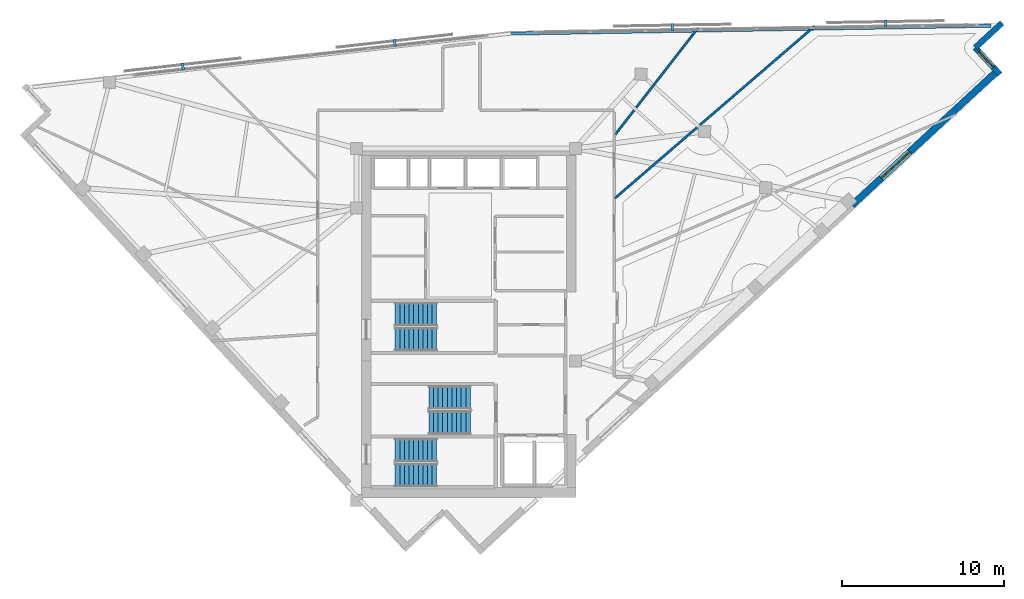
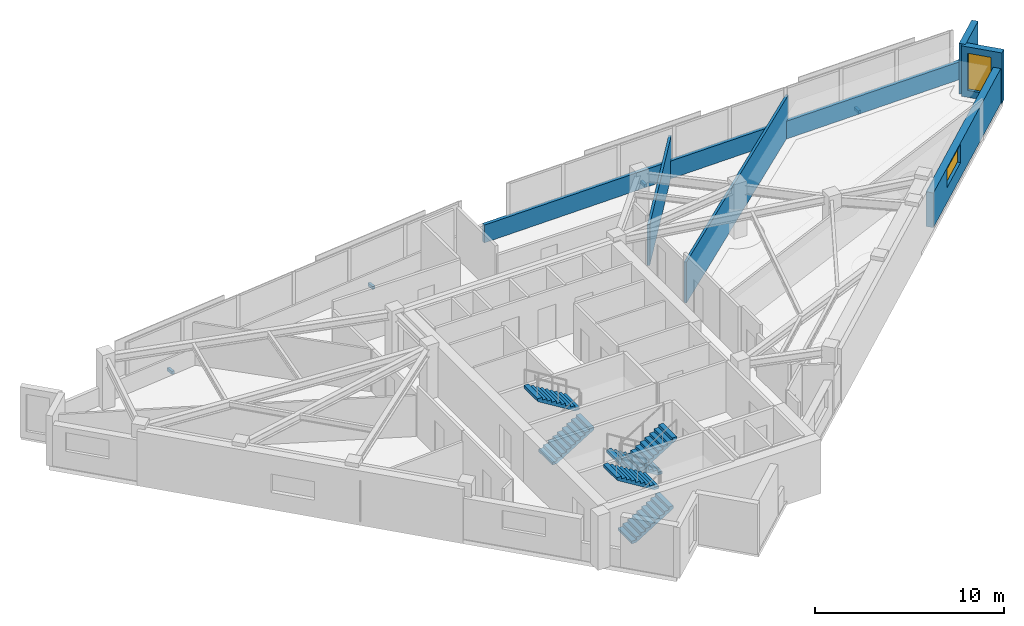
# One storey, part 11 of 13: 6 stair flights, 6 walls, 4 discrete accessories, 2 windows, 2 openings, 3 elements without a shape of their own.
"""IFC4 building model written with IfcOpenShell, lengths in metres."""

from ifc_helpers import new_model, si_unit, direction, frame, frame_2d, origin, origin_2d, place, context, subcontext, project, spatial, polyline, rectangle, outline, extrude, material, layer, layer_set, type_object, element, fill, aggregate, save


model = new_model("IFC4")

# Units and contexts
model_context = context("Model", 3, precision=1e-05, world=origin(), true_north=direction((0.0, 1.0)))
body_context = subcontext(model_context, "Body", "Model", "MODEL_VIEW")
ifc_project = project(units=[si_unit("LENGTHUNIT", "METRE"), si_unit("AREAUNIT", "SQUARE_METRE"), si_unit("VOLUMEUNIT", "CUBIC_METRE"), si_unit("PLANEANGLEUNIT", "RADIAN"), si_unit("MASSUNIT", "GRAM", prefix="KILO")], contexts=[model_context])

# Site, building, storey
site_placement = place(None, origin())
site = spatial("IfcSite", under=ifc_project, at=site_placement, CompositionType="ELEMENT")
building_placement = place(site_placement, origin())
building = spatial("IfcBuilding", under=site, at=building_placement, Name="Narakoshi Arena Tower", CompositionType="ELEMENT")
storey_placement = place(building_placement, frame((0.0, 0.0, 264.260009765625)))
storey = spatial("IfcBuildingStorey", under=building, at=storey_placement, Name="L72", CompositionType="ELEMENT", Elevation=264.260009765625)

# Wall
ifc_material_1 = material(Name="Precast concrete C45/55", Category="concrete")
ifc_layer_1 = layer(ifc_material_1, 0.25)
ifc_layer_set_1 = layer_set([ifc_layer_1], Name="Precast concrete C45/55")
wall_type_1 = type_object("IfcWallType", Name="WL-PARA-250", PredefinedType="PARAPET", material=ifc_layer_set_1)
wall_1_placement = place(storey_placement, frame((111.2705078125, 64.091796875, 0.0), z_axis=(0.0, 0.0, 1.0), x_axis=(-0.999864741935, -0.016446818413, 0.0)))
element("IfcWall", 1, at=wall_1_placement, inside=storey, type_object=wall_type_1, Name="L72 Hypotenuse Sill Upstand Parapet 1-01", PredefinedType="PARAPET", context=body_context, shape_type="SweptSolid", body=[
    extrude(rectangle(XDim=29.73291015625, YDim=0.199951171875, at=frame_2d((14.866455078125, 0.0))), origin(), (0.0, 0.0, 1.0), 1.14990234375),
])

# Wall, opening, window
ifc_layer_2 = layer(ifc_material_1, 0.419921875)
ifc_layer_set_2 = layer_set([ifc_layer_2], Name="Precast concrete C45/55")
wall_type_2 = type_object("IfcWallType", Name="WL-POD-420", PredefinedType="SOLIDWALL", material=ifc_layer_set_2)
wall_2_placement = place(storey_placement, frame((102.677490234375, 52.9892578125, 0.0), z_axis=(0.0, 0.0, 1.0), x_axis=(0.734331107219, 0.678791444386, 0.0)))
wall_2 = element("IfcWall", 2, at=wall_2_placement, inside=storey, type_object=wall_type_2, Name="L72 Architectural Concrete Facade Wall LEGA-4", PredefinedType="SOLIDWALL", context=body_context, shape_type="SweptSolid", body=[
    extrude(rectangle(XDim=12.21142578125, YDim=0.419921875, at=frame_2d((6.105712890625, 0.0))), origin(), (0.0, 0.0, 1.0), 2.244873046875),
])
opening_1_placement = place(wall_2_placement, frame((2.453857421875, 0.0, 0.965087890625)))
opening_1 = element("IfcOpeningElement", 3, at=opening_1_placement, cuts=wall_2, Name="Opening WN-04", PredefinedType="OPENING", context=body_context, shape_type="SweptSolid", body=[
    extrude(rectangle(XDim=2.39990234375, YDim=1.199951171875, at=frame_2d((1.199951171875, 0.60009765625))), frame((0.0, 0.219970703125, 0.0), z_axis=(0.0, -1.0, 0.0), x_axis=(1.0, 0.0, 0.0)), (0.0, 0.0, 1.0), 0.43994140625),
])
ifc_material_2 = material(Name="Bronze-tinted low-E laminated glass", Category="glass")
window_type_1 = type_object("IfcWindowType", Name="WIN-SLT-24x12", PartitioningType="SINGLE_PANEL", PredefinedType="WINDOW", material=ifc_material_2)
window_1_placement = place(opening_1_placement, origin())
window_1 = element("IfcWindow", 4, at=window_1_placement, inside=storey, type_object=window_type_1, Name="L72 LEGA4 Horizontal Slot Window 1", OverallHeight=1.199951171875, OverallWidth=2.39990234375, PartitioningType="SINGLE_PANEL", PredefinedType="WINDOW", context=body_context, shape_type="SweptSolid", body=[
    extrude(rectangle(XDim=2.39990234375, YDim=1.199951171875, at=frame_2d((1.199951171875, 0.60009765625))), frame((0.0, 0.030029296875, 0.0), z_axis=(0.0, -1.0, 0.0), x_axis=(1.0, 0.0, 0.0)), (0.0, 0.0, 1.0), 0.06005859375),
])
fill(opening_1, window_1)

wall_3_placement = place(storey_placement, frame((111.83154296875, 61.076416015625, 0.0), z_axis=(0.0, 0.0, 1.0), x_axis=(-0.678792531533, 0.734330102294, 0.0)))
wall_3 = element("IfcWall", 5, at=wall_3_placement, inside=storey, type_object=wall_type_2, Name="L72 Re-Entrant Corner Notch Wall NTE-1", PredefinedType="SOLIDWALL", context=body_context, shape_type="SweptSolid", body=[
    extrude(rectangle(XDim=2.255126953125, YDim=0.360107421875, at=frame_2d((1.12744140625, 0.0))), origin(), (0.0, 0.0, 1.0), 3.260009765625),
])
opening_2_placement = place(wall_3_placement, frame((0.614990234375, 0.0, 0.449951171875)))
opening_2 = element("IfcOpeningElement", 6, at=opening_2_placement, cuts=wall_3, Name="Opening WN-06", PredefinedType="OPENING", context=body_context, shape_type="SweptSolid", body=[
    extrude(rectangle(XDim=1.300048828125, YDim=2.39990234375, at=frame_2d((0.64990234375, 1.199951171875))), frame((0.0, 0.18994140625, 0.0), z_axis=(0.0, -1.0, 0.0), x_axis=(1.0, 0.0, 0.0)), (0.0, 0.0, 1.0), 0.380126953125),
])
window_type_2 = type_object("IfcWindowType", Name="WIN-NTC-16x24", PartitioningType="SINGLE_PANEL", PredefinedType="WINDOW", material=ifc_material_2)
window_2_placement = place(opening_2_placement, origin())
window_2 = element("IfcWindow", 7, at=window_2_placement, inside=storey, type_object=window_type_2, Name="L72 Corner Notch Window NTE", OverallHeight=2.39990234375, OverallWidth=1.300048828125, PartitioningType="SINGLE_PANEL", PredefinedType="WINDOW", context=body_context, shape_type="SweptSolid", body=[
    extrude(rectangle(XDim=1.300048828125, YDim=2.39990234375, at=frame_2d((0.64990234375, 1.199951171875))), frame((0.0, 0.030029296875, 0.0), z_axis=(0.0, -1.0, 0.0), x_axis=(1.0, 0.0, 0.0)), (0.0, 0.0, 1.0), 0.06005859375),
])
fill(opening_2, window_2)

# Walls
wall_4_placement = place(storey_placement, frame((110.30078125, 62.732421875, 0.0), z_axis=(0.0, 0.0, 1.0), x_axis=(0.734330102294, 0.678792531533, 0.0)))
element("IfcWall", 8, at=wall_4_placement, inside=storey, type_object=wall_type_2, Name="L72 Re-Entrant Corner Notch Wall NTE-2", PredefinedType="SOLIDWALL", context=body_context, shape_type="SweptSolid", body=[
    extrude(rectangle(XDim=2.255126953125, YDim=0.360107421875, at=frame_2d((1.12744140625, 0.0))), origin(), (0.0, 0.0, 1.0), 3.260009765625),
])
ifc_material_3 = material(Name="Moisture-resistant cement-board partition")
ifc_layer_3 = layer(ifc_material_3, 0.14501953125)
ifc_layer_set_3 = layer_set([ifc_layer_3], Name="Moisture-resistant cement-board partition")
wall_type_3 = type_object("IfcWallType", Name="WL-WET-145", PredefinedType="PARTITIONING", material=ifc_layer_set_3)
wall_5_placement = place(storey_placement, frame((87.98828125, 53.406005859375, 0.0), z_axis=(0.0, 0.0, 1.0), x_axis=(0.757572999375, 0.652750450493, 0.0)))
element("IfcWall", 9, at=wall_5_placement, inside=storey, type_object=wall_type_3, Name="L72 Inter-Room Partition 04-05", PredefinedType="PARTITIONING", context=body_context, shape_type="SweptSolid", body=[
    extrude(rectangle(XDim=16.3408203125, YDim=0.14501953125, at=frame_2d((8.17041015625, 0.0))), origin(), (0.0, 0.0, 1.0), 2.64501953125),
])
wall_6_placement = place(storey_placement, frame((88.01513671875, 57.354736328125, 0.0), z_axis=(0.0, 0.0, 1.0), x_axis=(0.613784898437, 0.789473304457, 0.0)))
element("IfcWall", 10, at=wall_6_placement, inside=storey, type_object=wall_type_3, Name="L72 Inter-Room Partition 05-06", PredefinedType="PARTITIONING", context=body_context, shape_type="SweptSolid", body=[
    extrude(rectangle(XDim=8.358642578125, YDim=0.14501953125, at=frame_2d((4.17919921875, 0.0))), origin(), (0.0, 0.0, 1.0), 2.64501953125),
])

# Stair, stair flights
ifc_material_4 = material(Name="Concrete C45/55", Category="concrete")
stair_type = type_object("IfcStairType", Name="STR-CORE-352", PredefinedType="TWO_STRAIGHT_RUN_STAIR", material=ifc_material_4)
stair_1_placement = place(storey_placement, origin())
stair_1 = element("IfcStair", 11, at=stair_1_placement, inside=storey, type_object=stair_type, Name="L72 Core Escape Stair ST1", PredefinedType="TWO_STRAIGHT_RUN_STAIR")
stair_flight_type = type_object("IfcStairFlightType", Name="FLT-145-160", PredefinedType="STRAIGHT", material=ifc_material_1)
stair_flight_1_placement = place(storey_placement, frame((74.39990234375, 36.27490234375, 0.0), z_axis=(0.0, 0.0, 1.0), x_axis=(1.0, 0.0, 0.0)))
stair_flight_1 = element("IfcStairFlight", 12, at=stair_flight_1_placement, type_object=stair_flight_type, Name="ST1 flight 1", NumberOfRisers=10, NumberOfTreads=9, PredefinedType="STRAIGHT", RiserHeight=0.176, TreadLength=0.285, context=body_context, shape_type="SweptSolid", body=[
    extrude(outline(polyline([(0.0, 0.0), (0.0, 0.176025390625), (0.284912109375, 0.176025390625), (0.284912109375, 0.35205078125), (0.570068359375, 0.35205078125), (0.570068359375, 0.528076171875), (0.85498046875, 0.528076171875), (0.85498046875, 0.7041015625), (1.139892578125, 0.7041015625), (1.139892578125, 0.8798828125), (1.425048828125, 0.8798828125), (1.425048828125, 1.055908203125), (1.7099609375, 1.055908203125), (1.7099609375, 1.23193359375), (1.9951171875, 1.23193359375), (1.9951171875, 1.407958984375), (2.280029296875, 1.407958984375), (2.280029296875, 1.583984375), (2.56494140625, 1.583984375), (2.56494140625, 1.760009765625), (2.56494140625, 1.40771484375), (0.285400390625, 0.0), (0.0, 0.0)])), frame((0.0, 0.72509765625, 0.0), z_axis=(0.0, -1.0, 0.0), x_axis=(1.0, 0.0, 0.0)), (0.0, 0.0, 1.0), 1.449951171875),
])
stair_flight_2_placement = place(storey_placement, frame((76.965087890625, 37.824951171875, 1.760009765625), z_axis=(0.0, 0.0, 1.0), x_axis=(-1.0, 0.0, 0.0)))
stair_flight_2 = element("IfcStairFlight", 13, at=stair_flight_2_placement, type_object=stair_flight_type, Name="ST1 flight 2", NumberOfRisers=10, NumberOfTreads=9, PredefinedType="STRAIGHT", RiserHeight=0.176, TreadLength=0.285, context=body_context, shape_type="SweptSolid", body=[
    extrude(outline(polyline([(0.0, 0.0), (0.0, 0.176025390625), (0.284912109375, 0.176025390625), (0.284912109375, 0.35205078125), (0.570068359375, 0.35205078125), (0.570068359375, 0.528076171875), (0.85498046875, 0.528076171875), (0.85498046875, 0.7041015625), (1.139892578125, 0.7041015625), (1.139892578125, 0.8798828125), (1.425048828125, 0.8798828125), (1.425048828125, 1.055908203125), (1.7099609375, 1.055908203125), (1.7099609375, 1.23193359375), (1.9951171875, 1.23193359375), (1.9951171875, 1.407958984375), (2.280029296875, 1.407958984375), (2.280029296875, 1.583984375), (2.56494140625, 1.583984375), (2.56494140625, 1.760009765625), (2.56494140625, 1.40771484375), (0.285400390625, 0.0), (0.0, 0.0)])), frame((0.0, 0.72509765625, 0.0), z_axis=(0.0, -1.0, 0.0), x_axis=(1.0, 0.0, 0.0)), (0.0, 0.0, 1.0), 1.449951171875),
])
aggregate(stair_1, [stair_flight_1, stair_flight_2])

stair_2_placement = place(storey_placement, origin())
stair_2 = element("IfcStair", 14, at=stair_2_placement, inside=storey, type_object=stair_type, Name="L72 Core Escape Stair ST2", PredefinedType="TWO_STRAIGHT_RUN_STAIR")
stair_flight_3_placement = place(storey_placement, frame((79.050048828125, 41.074951171875, 0.0), z_axis=(0.0, 0.0, 1.0), x_axis=(-1.0, 0.0, 0.0)))
stair_flight_3 = element("IfcStairFlight", 15, at=stair_flight_3_placement, type_object=stair_flight_type, Name="ST2 flight 1", NumberOfRisers=10, NumberOfTreads=9, PredefinedType="STRAIGHT", RiserHeight=0.176, TreadLength=0.285, context=body_context, shape_type="SweptSolid", body=[
    extrude(outline(polyline([(0.0, 0.0), (0.0, 0.176025390625), (0.284912109375, 0.176025390625), (0.284912109375, 0.35205078125), (0.570068359375, 0.35205078125), (0.570068359375, 0.528076171875), (0.85498046875, 0.528076171875), (0.85498046875, 0.7041015625), (1.139892578125, 0.7041015625), (1.139892578125, 0.8798828125), (1.425048828125, 0.8798828125), (1.425048828125, 1.055908203125), (1.7099609375, 1.055908203125), (1.7099609375, 1.23193359375), (1.9951171875, 1.23193359375), (1.9951171875, 1.407958984375), (2.280029296875, 1.407958984375), (2.280029296875, 1.583984375), (2.56494140625, 1.583984375), (2.56494140625, 1.760009765625), (2.56494140625, 1.40771484375), (0.285400390625, 0.0), (0.0, 0.0)])), frame((0.0, 0.72509765625, 0.0), z_axis=(0.0, -1.0, 0.0), x_axis=(1.0, 0.0, 0.0)), (0.0, 0.0, 1.0), 1.449951171875),
])
stair_flight_4_placement = place(storey_placement, frame((76.485107421875, 39.52490234375, 1.760009765625), z_axis=(0.0, 0.0, 1.0), x_axis=(1.0, 0.0, 0.0)))
stair_flight_4 = element("IfcStairFlight", 16, at=stair_flight_4_placement, type_object=stair_flight_type, Name="ST2 flight 2", NumberOfRisers=10, NumberOfTreads=9, PredefinedType="STRAIGHT", RiserHeight=0.176, TreadLength=0.285, context=body_context, shape_type="SweptSolid", body=[
    extrude(outline(polyline([(0.0, 0.0), (0.0, 0.176025390625), (0.284912109375, 0.176025390625), (0.284912109375, 0.35205078125), (0.570068359375, 0.35205078125), (0.570068359375, 0.528076171875), (0.85498046875, 0.528076171875), (0.85498046875, 0.7041015625), (1.139892578125, 0.7041015625), (1.139892578125, 0.8798828125), (1.425048828125, 0.8798828125), (1.425048828125, 1.055908203125), (1.7099609375, 1.055908203125), (1.7099609375, 1.23193359375), (1.9951171875, 1.23193359375), (1.9951171875, 1.407958984375), (2.280029296875, 1.407958984375), (2.280029296875, 1.583984375), (2.56494140625, 1.583984375), (2.56494140625, 1.760009765625), (2.56494140625, 1.40771484375), (0.285400390625, 0.0), (0.0, 0.0)])), frame((0.0, 0.72509765625, 0.0), z_axis=(0.0, -1.0, 0.0), x_axis=(1.0, 0.0, 0.0)), (0.0, 0.0, 1.0), 1.449951171875),
])
aggregate(stair_2, [stair_flight_3, stair_flight_4])

stair_3_placement = place(storey_placement, origin())
stair_3 = element("IfcStair", 17, at=stair_3_placement, inside=storey, type_object=stair_type, Name="L72 Core Escape Stair ST3", PredefinedType="TWO_STRAIGHT_RUN_STAIR")
stair_flight_5_placement = place(storey_placement, frame((74.39990234375, 44.675048828125, 0.0), z_axis=(0.0, 0.0, 1.0), x_axis=(1.0, 0.0, 0.0)))
stair_flight_5 = element("IfcStairFlight", 18, at=stair_flight_5_placement, type_object=stair_flight_type, Name="ST3 flight 1", NumberOfRisers=10, NumberOfTreads=9, PredefinedType="STRAIGHT", RiserHeight=0.176, TreadLength=0.285, context=body_context, shape_type="SweptSolid", body=[
    extrude(outline(polyline([(0.0, 0.0), (0.0, 0.176025390625), (0.284912109375, 0.176025390625), (0.284912109375, 0.35205078125), (0.570068359375, 0.35205078125), (0.570068359375, 0.528076171875), (0.85498046875, 0.528076171875), (0.85498046875, 0.7041015625), (1.139892578125, 0.7041015625), (1.139892578125, 0.8798828125), (1.425048828125, 0.8798828125), (1.425048828125, 1.055908203125), (1.7099609375, 1.055908203125), (1.7099609375, 1.23193359375), (1.9951171875, 1.23193359375), (1.9951171875, 1.407958984375), (2.280029296875, 1.407958984375), (2.280029296875, 1.583984375), (2.56494140625, 1.583984375), (2.56494140625, 1.760009765625), (2.56494140625, 1.40771484375), (0.285400390625, 0.0), (0.0, 0.0)])), frame((0.0, 0.72509765625, 0.0), z_axis=(0.0, -1.0, 0.0), x_axis=(1.0, 0.0, 0.0)), (0.0, 0.0, 1.0), 1.449951171875),
])
stair_flight_6_placement = place(storey_placement, frame((76.965087890625, 46.22509765625, 1.760009765625), z_axis=(0.0, 0.0, 1.0), x_axis=(-1.0, 0.0, 0.0)))
stair_flight_6 = element("IfcStairFlight", 19, at=stair_flight_6_placement, type_object=stair_flight_type, Name="ST3 flight 2", NumberOfRisers=10, NumberOfTreads=9, PredefinedType="STRAIGHT", RiserHeight=0.176, TreadLength=0.285, context=body_context, shape_type="SweptSolid", body=[
    extrude(outline(polyline([(0.0, 0.0), (0.0, 0.176025390625), (0.284912109375, 0.176025390625), (0.284912109375, 0.35205078125), (0.570068359375, 0.35205078125), (0.570068359375, 0.528076171875), (0.85498046875, 0.528076171875), (0.85498046875, 0.7041015625), (1.139892578125, 0.7041015625), (1.139892578125, 0.8798828125), (1.425048828125, 0.8798828125), (1.425048828125, 1.055908203125), (1.7099609375, 1.055908203125), (1.7099609375, 1.23193359375), (1.9951171875, 1.23193359375), (1.9951171875, 1.407958984375), (2.280029296875, 1.407958984375), (2.280029296875, 1.583984375), (2.56494140625, 1.583984375), (2.56494140625, 1.760009765625), (2.56494140625, 1.40771484375), (0.285400390625, 0.0), (0.0, 0.0)])), frame((0.0, 0.72509765625, 0.0), z_axis=(0.0, -1.0, 0.0), x_axis=(1.0, 0.0, 0.0)), (0.0, 0.0, 1.0), 1.449951171875),
])
aggregate(stair_3, [stair_flight_5, stair_flight_6])

# Discrete accessories
ifc_material_5 = material(Name="Structural steel S355J2", Category="steel")
discrete_accessory_type = type_object("IfcDiscreteAccessoryType", Name="ACC-BRK-SCR", PredefinedType="BRACKET", material=ifc_material_5)
for number, where, z_axis, x_axis, name in (
    (20, (104.75634765625, 64.224609375, -0.080078125), (0.0, 0.0, 1.0), (-0.999864849778, -0.016440260879, 0.0), "L72 Solar Screen Support Bracket SHD-L72-SCR1-1"),
    (21, (91.55810546875, 64.007568359375, -0.080078125), (0.0, 0.0, 1.0), (-0.999864849778, -0.016440260879, 0.0), "L72 Solar Screen Support Bracket SHD-L72-SCR1-2"),
    (22, (74.374755859375, 63.040283203125, -0.080078125), (0.0, 0.0, 1.0), (-0.993775698738, -0.111399553846, 0.0), "L72 Solar Screen Support Bracket SHD-L72-SCR2-1"),
    (23, (61.2568359375, 61.56982421875, -0.080078125), (0.0, 0.0, 1.0), (-0.993775698738, -0.111399553846, 0.0), "L72 Solar Screen Support Bracket SHD-L72-SCR2-2"),
):
    element("IfcDiscreteAccessory", number, at=place(storey_placement, frame(where, z_axis=z_axis, x_axis=x_axis)), inside=storey, type_object=discrete_accessory_type, Name=name, PredefinedType="BRACKET", context=body_context, shape_type="SweptSolid", body=[
        extrude(rectangle(XDim=0.159912109375, YDim=0.43994140625, at=origin_2d()), origin(), (0.0, 0.0, 1.0), 0.199951171875),
    ])

save(model, "model.ifc")
